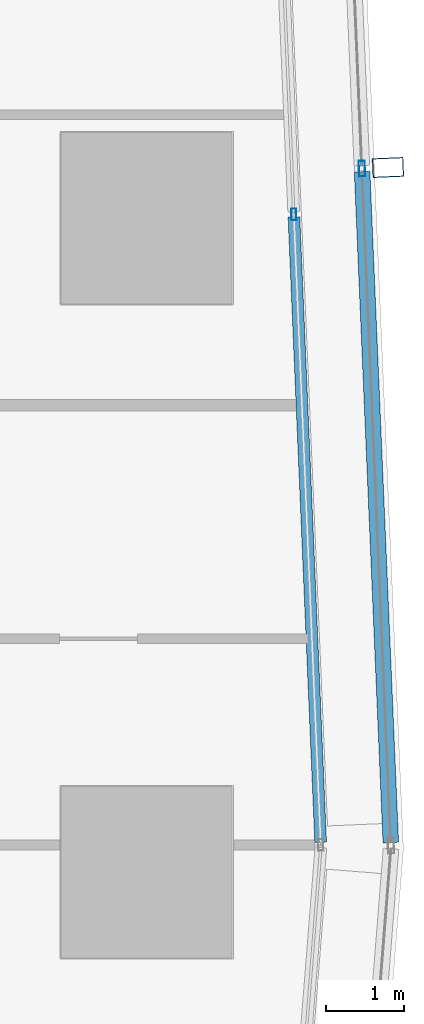
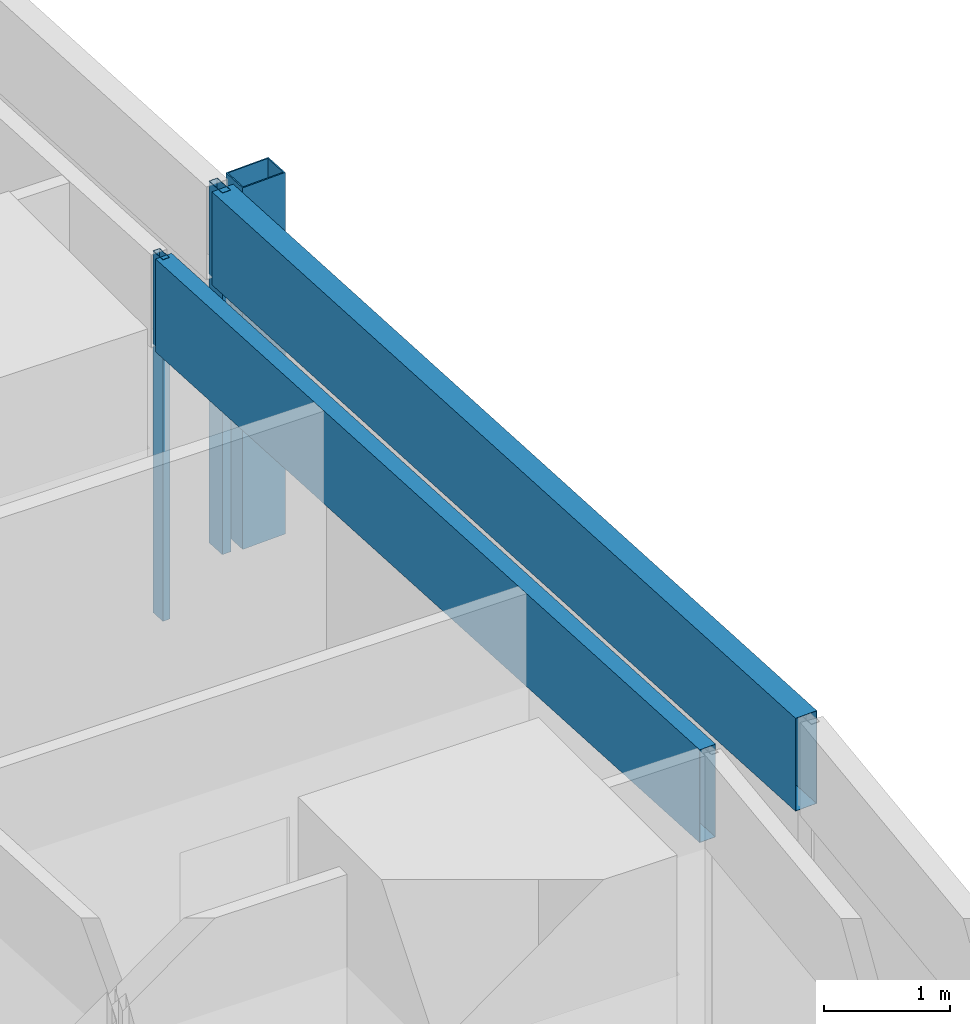
# One storey, part 27 of 44: 5 members, 2 elements without a shape of their own.
"""IFC4 building model written with IfcOpenShell, lengths in metres."""

from ifc_helpers import new_model, si_unit, direction, frame, origin, origin_2d, place, context, subcontext, project, spatial, hollow_rectangle, extrude, material, material_profile, profile_set, type_object, element, aggregate, save


model = new_model("IFC4")

# Units and contexts
model_context = context("Model", 3, precision=1e-05, world=origin(), true_north=direction((0.0, 1.0)))
body_context = subcontext(model_context, "Body", "Model", "MODEL_VIEW")
ifc_project = project(units=[si_unit("LENGTHUNIT", "METRE"), si_unit("AREAUNIT", "SQUARE_METRE"), si_unit("VOLUMEUNIT", "CUBIC_METRE"), si_unit("PLANEANGLEUNIT", "RADIAN"), si_unit("MASSUNIT", "GRAM", prefix="KILO")], contexts=[model_context])

# Site, building, storey
site_placement = place(None, origin())
site = spatial("IfcSite", under=ifc_project, at=site_placement, CompositionType="ELEMENT")
building_placement = place(site_placement, origin())
building = spatial("IfcBuilding", under=site, at=building_placement, Name="Rekha Terrace Tower", CompositionType="ELEMENT")
storey_placement = place(building_placement, frame((0.0, 0.0, 66.64990234375)))
storey = spatial("IfcBuildingStorey", under=building, at=storey_placement, Name="L16", CompositionType="ELEMENT", Elevation=66.64990234375)

# Curtain wall, member
ifc_material_1 = material(Name="Aluminium framing", Category="aluminium")
curtain_wall_type_1 = type_object("IfcCurtainWallType", Name="CW2 double skin outer glazing", PredefinedType="USERDEFINED", material=ifc_material_1)
curtain_wall_1_placement = place(storey_placement, origin())
curtain_wall_1 = element("IfcCurtainWall", 1, at=curtain_wall_1_placement, inside=storey, type_object=curtain_wall_type_1, Name="CW2 double skin outer glazing", ObjectType="DOUBLE SKIN OUTER GLAZING", PredefinedType="USERDEFINED")
ifc_material_2 = material(Name="Steel S355 with fluorocarbon finish", Category="steel")
ifc_material_profile_1 = material_profile(ifc_material_2, hollow_rectangle(XDim=0.25, YDim=0.39990234375, WallThickness=0.012451171875, at=origin_2d()), Name="RHS400x250x12.5")
ifc_profile_set_1 = profile_set([ifc_material_profile_1], Name="Steel S355 with fluorocarbon finish")
member_type_1 = type_object("IfcMemberType", Name="BL1 facade blade RHS 400 x 250", PredefinedType="USERDEFINED", material=ifc_profile_set_1)
member_1_placement = place(storey_placement, frame((70.301025390625, 34.2529296875, 0.0), z_axis=(0.0, 0.0, 1.0), x_axis=(-0.04269522475, 0.99908814315, 0.0)))
member_1 = element("IfcMember", 2, at=member_1_placement, type_object=member_type_1, Name="Facade blade", ObjectType="FACADE BLADE", PredefinedType="USERDEFINED", context=body_context, shape_type="SweptSolid", body=[
    extrude(hollow_rectangle(XDim=0.25, YDim=0.39990234375, WallThickness=0.012451171875, at=origin_2d()), origin(), (0.0, 0.0, 1.0), 3.5),
])

# Curtain wall, members
curtain_wall_type_2 = type_object("IfcCurtainWallType", Name="CW1 double skin inner glazing", PredefinedType="USERDEFINED", material=ifc_material_1)
curtain_wall_2_placement = place(storey_placement, origin())
curtain_wall_2 = element("IfcCurtainWall", 3, at=curtain_wall_2_placement, inside=storey, type_object=curtain_wall_type_2, Name="CW1 double skin inner glazing", ObjectType="DOUBLE SKIN INNER GLAZING", PredefinedType="USERDEFINED")
ifc_material_3 = material(Name="Aluminium mullion section", Category="aluminium")
ifc_material_profile_2 = material_profile(ifc_material_3, hollow_rectangle(XDim=0.06494140625, YDim=0.14990234375, WallThickness=0.00390625, at=origin_2d()), Name="AL RHS 65x150")
ifc_profile_set_2 = profile_set([ifc_material_profile_2], Name="Aluminium mullion section")
member_type_2 = type_object("IfcMemberType", Name="CW1 mullion RHS 65 x 150", PredefinedType="MULLION", material=ifc_profile_set_2)
member_2_placement = place(storey_placement, frame((69.0908203125, 33.650390625, 0.0), z_axis=(0.0, 0.0, 1.0), x_axis=(-0.999088106904, -0.042696072921, 0.0)))
member_2 = element("IfcMember", 4, at=member_2_placement, type_object=member_type_2, Name="CW1 mullion 2", PredefinedType="MULLION", context=body_context, shape_type="SweptSolid", body=[
    extrude(hollow_rectangle(XDim=0.06494140625, YDim=0.14990234375, WallThickness=0.00390625, at=origin_2d()), origin(), (0.0, 0.0, 1.0), 3.5),
])
ifc_material_4 = material(Name="Insulated aluminium spandrel box", Category="aluminium")
ifc_material_profile_3 = material_profile(ifc_material_4, hollow_rectangle(XDim=0.14990234375, YDim=0.89990234375, WallThickness=0.0029296875, at=origin_2d()), Name="AL SPANDREL BOX 150x900")
ifc_profile_set_3 = profile_set([ifc_material_profile_3], Name="Insulated aluminium spandrel box")
member_type_3 = type_object("IfcMemberType", Name="CW1 spandrel transom 150 x 900", PredefinedType="USERDEFINED", material=ifc_profile_set_3)
member_3_placement = place(storey_placement, frame((69.435546875, 25.584228515625, 3.050048828125), z_axis=(-0.042719126599, 0.999087121438, 0.0), x_axis=(-0.999087121438, -0.042719126599, 0.0)))
member_3 = element("IfcMember", 5, at=member_3_placement, type_object=member_type_3, Name="CW1 spandrel transom 1", ObjectType="TRANSOM", PredefinedType="USERDEFINED", context=body_context, shape_type="SweptSolid", body=[
    extrude(hollow_rectangle(XDim=0.14990234375, YDim=0.89990234375, WallThickness=0.0029296875, at=origin_2d()), origin(), (0.0, 0.0, 1.0), 8.041015625),
])
aggregate(curtain_wall_2, [member_2, member_3])

# Member
ifc_material_profile_4 = material_profile(ifc_material_3, hollow_rectangle(XDim=0.080078125, YDim=0.199951171875, WallThickness=0.00390625, at=origin_2d()), Name="AL RHS 80x200")
ifc_profile_set_4 = profile_set([ifc_material_profile_4], Name="Aluminium mullion section")
member_type_4 = type_object("IfcMemberType", Name="CW2 mullion RHS 80 x 200", PredefinedType="MULLION", material=ifc_profile_set_4)
member_4_placement = place(storey_placement, frame((69.96630859375, 34.23876953125, 0.0), z_axis=(0.0, 0.0, 1.0), x_axis=(-0.999088106903, -0.042696072956, 0.0)))
member_4 = element("IfcMember", 6, at=member_4_placement, type_object=member_type_4, Name="CW2 mullion 2", PredefinedType="MULLION", context=body_context, shape_type="SweptSolid", body=[
    extrude(hollow_rectangle(XDim=0.080078125, YDim=0.199951171875, WallThickness=0.00390625, at=origin_2d()), origin(), (0.0, 0.0, 1.0), 3.5),
])

ifc_material_profile_5 = material_profile(ifc_material_4, hollow_rectangle(XDim=0.199951171875, YDim=0.89990234375, WallThickness=0.0029296875, at=origin_2d()), Name="AL SPANDREL BOX 200x900")
ifc_profile_set_5 = profile_set([ifc_material_profile_5], Name="Insulated aluminium spandrel box")
member_type_5 = type_object("IfcMemberType", Name="CW2 spandrel transom 200 x 900", PredefinedType="USERDEFINED", material=ifc_profile_set_5)
member_5_placement = place(storey_placement, frame((70.33642578125, 25.582763671875, 3.050048828125), z_axis=(-0.042719742329, 0.99908709511, 0.0), x_axis=(-0.99908709511, -0.042719742329, 0.0)))
member_5 = element("IfcMember", 7, at=member_5_placement, type_object=member_type_5, Name="CW2 spandrel transom 1", ObjectType="TRANSOM", PredefinedType="USERDEFINED", context=body_context, shape_type="SweptSolid", body=[
    extrude(hollow_rectangle(XDim=0.199951171875, YDim=0.89990234375, WallThickness=0.0029296875, at=origin_2d()), origin(), (0.0, 0.0, 1.0), 8.623779296875),
])

aggregate(curtain_wall_1, [member_4, member_5, member_1])

save(model, "model.ifc")
